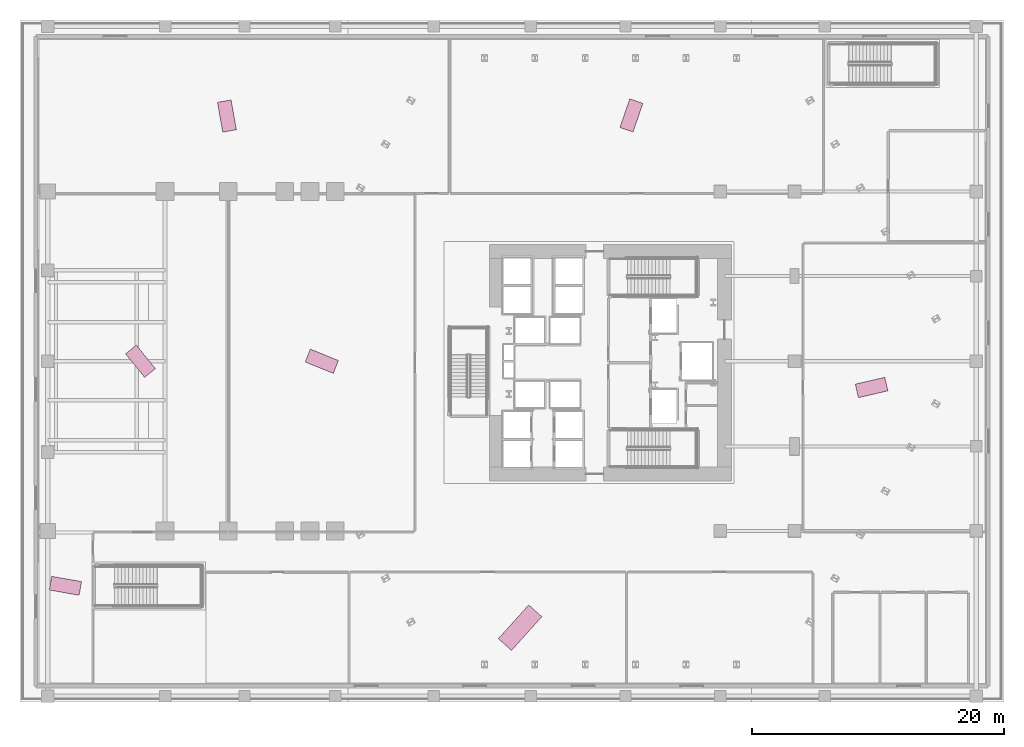
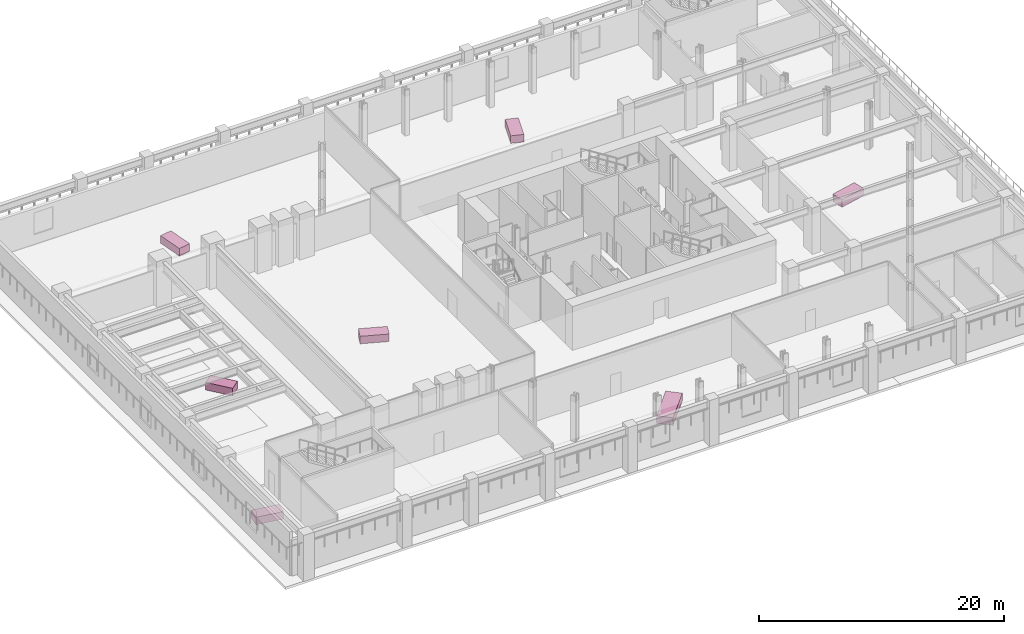
# One storey, part 18 of 18: 7 furniture elements.
"""IFC4 building model written with IfcOpenShell, lengths in metres."""

import ifcopenshell
import ifcopenshell.guid

model = None  # the IFC model being written
_history = None  # IfcOwnerHistory: only IFC2X3 demands one
_inside = {}  # id of a spatial element -> (the spatial element, [elements in it])
_under = {}  # id of a project, library or spatial element -> (it, [spatial elements below it])
_declared = {}  # id of a project -> (the project, [libraries it declares])
_typed = {}  # id of a type object -> (the type object, [elements of that type])
_made_of = {}  # id of a material, layer set ... -> (it, [elements and type objects made of it])


def new_model(schema):
    """Start an empty IFC model of exactly this schema.

    Asked for "IFC4X3", IfcOpenShell would pick the latest addendum, in which some entities
    have other attributes; the version numbers below select the first issue.
    IFC2X3 requires an IfcOwnerHistory on every rooted entity: one is made here for all.
    """
    global model, _history
    if schema == "IFC4X3":
        model = ifcopenshell.file(schema_version=(4, 3, 0, 0))
    else:
        model = ifcopenshell.file(schema=schema)
    _inside.clear()
    _under.clear()
    _declared.clear()
    _typed.clear()
    _made_of.clear()
    _history = None
    if model.schema == "IFC2X3":
        org = make("IfcOrganization", Name="unknown")
        user = make(
            "IfcPersonAndOrganization",
            ThePerson=make("IfcPerson", FamilyName="unknown"),
            TheOrganization=org,
        )
        app = make(
            "IfcApplication",
            ApplicationDeveloper=org,
            Version="unknown",
            ApplicationFullName="unknown",
            ApplicationIdentifier="unknown",
        )
        _history = make(
            "IfcOwnerHistory",
            OwningUser=user,
            OwningApplication=app,
            ChangeAction="ADDED",
            CreationDate=0,
        )
    return model


def make(cls, **values):
    """One entity of the class cls with the attributes given. An attribute that is None is left unset."""
    return model.create_entity(
        cls, **{name: value for name, value in values.items() if value is not None}
    )


def rooted(cls, **values):
    """An entity with a GlobalId (a new one), such as an element, a storey or a relation."""
    return make(cls, GlobalId=ifcopenshell.guid.new(), OwnerHistory=_history, **values)


def si_unit(unit_type, name, prefix=None):
    """IfcSIUnit, for example si_unit("LENGTHUNIT", "METRE", prefix="MILLI")."""
    return make("IfcSIUnit", UnitType=unit_type, Prefix=prefix, Name=name)


def assignment(units):
    """IfcUnitAssignment: the units of a project."""
    return None if units is None else make("IfcUnitAssignment", Units=units)


def point(xyz):
    """IfcCartesianPoint."""
    return None if xyz is None else make("IfcCartesianPoint", Coordinates=xyz)


def direction(xyz):
    """IfcDirection."""
    return None if xyz is None else make("IfcDirection", DirectionRatios=xyz)


def frame(location, z_axis=None, x_axis=None):
    """IfcAxis2Placement3D, a coordinate frame: its origin and axes. An axis left out is left unset."""
    return make(
        "IfcAxis2Placement3D",
        Location=point(location),
        Axis=direction(z_axis),
        RefDirection=direction(x_axis),
    )


def frame_2d(location, x_axis=None):
    """IfcAxis2Placement2D, a coordinate frame in the plane: its origin and x axis."""
    return make(
        "IfcAxis2Placement2D", Location=point(location), RefDirection=direction(x_axis)
    )


def origin():
    """The frame at (0, 0, 0) with its axes left unset."""
    return frame((0.0, 0.0, 0.0))


def origin_2d():
    """The frame at (0, 0) in the plane with its x axis left unset."""
    return frame_2d((0.0, 0.0))


def place(relative_to, where):
    """IfcLocalPlacement: puts the frame where relative to a parent placement (None: the world)."""
    return make(
        "IfcLocalPlacement", PlacementRelTo=relative_to, RelativePlacement=where
    )


def context(
    kind, dimensions, precision=None, world=None, true_north=None, identifier=None
):
    """IfcGeometricRepresentationContext, for example the 3D "Model" context."""
    return make(
        "IfcGeometricRepresentationContext",
        ContextIdentifier=identifier,
        ContextType=kind,
        CoordinateSpaceDimension=dimensions,
        Precision=precision,
        WorldCoordinateSystem=world,
        TrueNorth=true_north,
    )


def subcontext(parent, identifier, kind, view, scale=None):
    """IfcGeometricRepresentationSubContext, for example "Body" below "Model"."""
    return make(
        "IfcGeometricRepresentationSubContext",
        ContextIdentifier=identifier,
        ContextType=kind,
        ParentContext=parent,
        TargetScale=scale,
        TargetView=view,
    )


def project(units=None, contexts=None):
    """IfcProject with its units and contexts."""
    return rooted(
        "IfcProject",
        Name="project",
        RepresentationContexts=contexts,
        UnitsInContext=assignment(units),
    )


def spatial(cls, under=None, at=None, **own):
    """A site, building, storey or space (cls), placed at a placement, below another one or the project."""
    s = rooted(cls, ObjectPlacement=at, **own)
    if under is not None:
        _under.setdefault(under.id(), (under, []))[1].append(s)
    return s


def profile(cls, at=None, kind="AREA", **sizes):
    """A parametric profile (cls). Its sizes go by their IFC names, for example OverallWidth=200.0."""
    return make(cls, ProfileType=kind, Position=at, **sizes)


def rectangle(**sizes):
    """IfcRectangleProfileDef."""
    return profile("IfcRectangleProfileDef", **sizes)


def extrude(swept, where, along, depth):
    """IfcExtrudedAreaSolid: the profile swept, set in the frame where, extruded along a direction by depth."""
    return make(
        "IfcExtrudedAreaSolid",
        SweptArea=swept,
        Position=where,
        ExtrudedDirection=direction(along),
        Depth=depth,
    )


def shape(context_of_items, identifier, shape_type, items):
    """IfcShapeRepresentation: the items that make up one representation, for example the "Body"."""
    return make(
        "IfcShapeRepresentation",
        ContextOfItems=context_of_items,
        RepresentationIdentifier=identifier,
        RepresentationType=shape_type,
        Items=items,
    )


def material(Name=None, Category=None):
    """IfcMaterial."""
    return make("IfcMaterial", Name=Name, Category=Category)


def made_of(thing, what):
    """Note that an element or type object is made of a material, layer set ...; save() writes the relation."""
    if what is not None:
        _made_of.setdefault(what.id(), (what, []))[1].append(thing)
    return thing


def type_object(cls, material=None, **own):
    """A type object (cls), such as IfcWallType, which elements share."""
    return made_of(rooted(cls, **own), material)


def element(
    cls,
    number,
    at=None,
    inside=None,
    cuts=None,
    type_object=None,
    material=None,
    context=None,
    identifier="Body",
    shape_type=None,
    held_by="IfcProductDefinitionShape",
    body=None,
    shapes=None,
    **own,
):
    """One element of the class cls, such as IfcWall. Its Tag is "e" and its number.

    at: its placement. inside: the storey or other place that contains it. cuts: it is an
    opening in that element (IfcRelVoidsElement). A single representation is given by context,
    identifier, shape_type and body (its items); several are given by shapes. held_by: the class
    of the entity that holds the representations. save() writes the other relations.
    """
    e = rooted(cls, Tag="e%d" % number, ObjectPlacement=at, **own)
    if body is not None:
        shapes = [shape(context, identifier, shape_type, body)]
    if shapes is not None:
        e.Representation = make(held_by, Representations=shapes)
    if inside is not None:
        _inside.setdefault(inside.id(), (inside, []))[1].append(e)
    if cuts is not None:
        rooted(
            "IfcRelVoidsElement", RelatingBuildingElement=cuts, RelatedOpeningElement=e
        )
    if type_object is not None:
        _typed.setdefault(type_object.id(), (type_object, []))[1].append(e)
    return made_of(e, material)


def aggregate(whole, parts):
    """IfcRelAggregates: a whole, such as a stair, and the parts it consists of."""
    return rooted("IfcRelAggregates", RelatingObject=whole, RelatedObjects=parts)


def save(model, path):
    """Write the relations noted so far, then the file.

    IfcRelAggregates (storeys below a building ...), IfcRelContainedInSpatialStructure (elements
    in a storey), IfcRelDefinesByType, IfcRelAssociatesMaterial and IfcRelDeclares: one each for
    every whole, place, type object, material and project.
    """
    for whole, parts in _under.values():
        aggregate(whole, parts)
    for where, things in _inside.values():
        rooted(
            "IfcRelContainedInSpatialStructure",
            RelatedElements=things,
            RelatingStructure=where,
        )
    for kind, things in _typed.values():
        rooted("IfcRelDefinesByType", RelatedObjects=things, RelatingType=kind)
    for what, things in _made_of.values():
        rooted("IfcRelAssociatesMaterial", RelatedObjects=things, RelatingMaterial=what)
    for by, libraries in _declared.values():
        rooted("IfcRelDeclares", RelatingContext=by, RelatedDefinitions=libraries)
    model.write(path)


model = new_model("IFC4")

# Units and contexts
model_context = context("Model", 3, precision=1e-05, world=origin(), true_north=direction((0.0, 1.0)))
body_context = subcontext(model_context, "Body", "Model", "MODEL_VIEW")
ifc_project = project(units=[si_unit("LENGTHUNIT", "METRE"), si_unit("AREAUNIT", "SQUARE_METRE"), si_unit("VOLUMEUNIT", "CUBIC_METRE"), si_unit("PLANEANGLEUNIT", "RADIAN"), si_unit("MASSUNIT", "GRAM", prefix="KILO")], contexts=[model_context])

# Site, building, storey
site_placement = place(None, origin())
site = spatial("IfcSite", under=ifc_project, at=site_placement, CompositionType="ELEMENT")
building_placement = place(site_placement, origin())
building = spatial("IfcBuilding", under=site, at=building_placement, Name="Valkerne Bourse Tower", CompositionType="ELEMENT")
storey_placement = place(building_placement, frame((0.0, 0.0, 14.800048828125)))
storey = spatial("IfcBuildingStorey", under=building, at=storey_placement, Name="L03", CompositionType="ELEMENT", Elevation=14.800048828125)

# Furniture
ifc_material = material(Name="Architectural White Oak Timber", Category="wood")
furniture_type_1 = type_object("IfcFurnitureType", Name="FURN-CONF-3600", AssemblyPlace="NOTDEFINED", PredefinedType="TABLE", material=ifc_material)
furniture_placement = place(storey_placement, frame((39.64111328125, 5.87890625, 0.044921875), z_axis=(0.0, 0.0, 1.0), x_axis=(0.669130606359, 0.743144825477, 0.0)))
element("IfcFurniture", 1, at=furniture_placement, inside=storey, type_object=furniture_type_1, Name="L03 Suite Worktable 03", PredefinedType="TABLE", context=body_context, shape_type="SweptSolid", body=[
    extrude(rectangle(XDim=3.60009765625, YDim=1.39990234375, at=origin_2d()), origin(), (0.0, 0.0, 1.0), 0.760009765625),
])
furniture_type_2 = type_object("IfcFurnitureType", Name="FURN-DESK-2400", AssemblyPlace="NOTDEFINED", PredefinedType="DESK", material=ifc_material)
for number, where, z_axis, x_axis, name in (
    (2, (3.60205078125, 9.199951171875, 0.044921875), (0.0, 0.0, 1.0), (-0.984807753012, 0.173648177667, 0.0), "L03 Suite Worktable 01"),
    (3, (67.50390625, 24.91796875, 0.044921875), (0.0, 0.0, 1.0), (0.974370064785, 0.224951054344, 0.0), "L03 Suite Worktable 08"),
    (4, (48.466064453125, 46.485107421875, 0.044921875), (0.0, 0.0, 1.0), (0.325568154457, 0.945518575599, 0.0), "L03 Suite Worktable 10"),
    (5, (16.402099609375, 46.43798828125, 0.044921875), (0.0, 0.0, 1.0), (-0.173648177667, 0.984807753012, 0.0), "L03 Suite Worktable 11"),
    (6, (9.550048828125, 27.0, 0.044921875), (0.0, 0.0, 1.0), (-0.62932039105, 0.777145961457, 0.0), "L03 Suite Worktable 12"),
    (7, (23.925048828125, 27.0, 0.044921875), (0.0, 0.0, 1.0), (-0.927183854567, 0.374606593416, 0.0), "L03 Suite Worktable 13"),
):
    element("IfcFurniture", number, at=place(storey_placement, frame(where, z_axis=z_axis, x_axis=x_axis)), inside=storey, type_object=furniture_type_2, Name=name, PredefinedType="DESK", context=body_context, shape_type="SweptSolid", body=[
        extrude(rectangle(XDim=2.39990234375, YDim=1.10009765625, at=origin_2d()), origin(), (0.0, 0.0, 1.0), 0.75),
    ])

save(model, "model.ifc")
